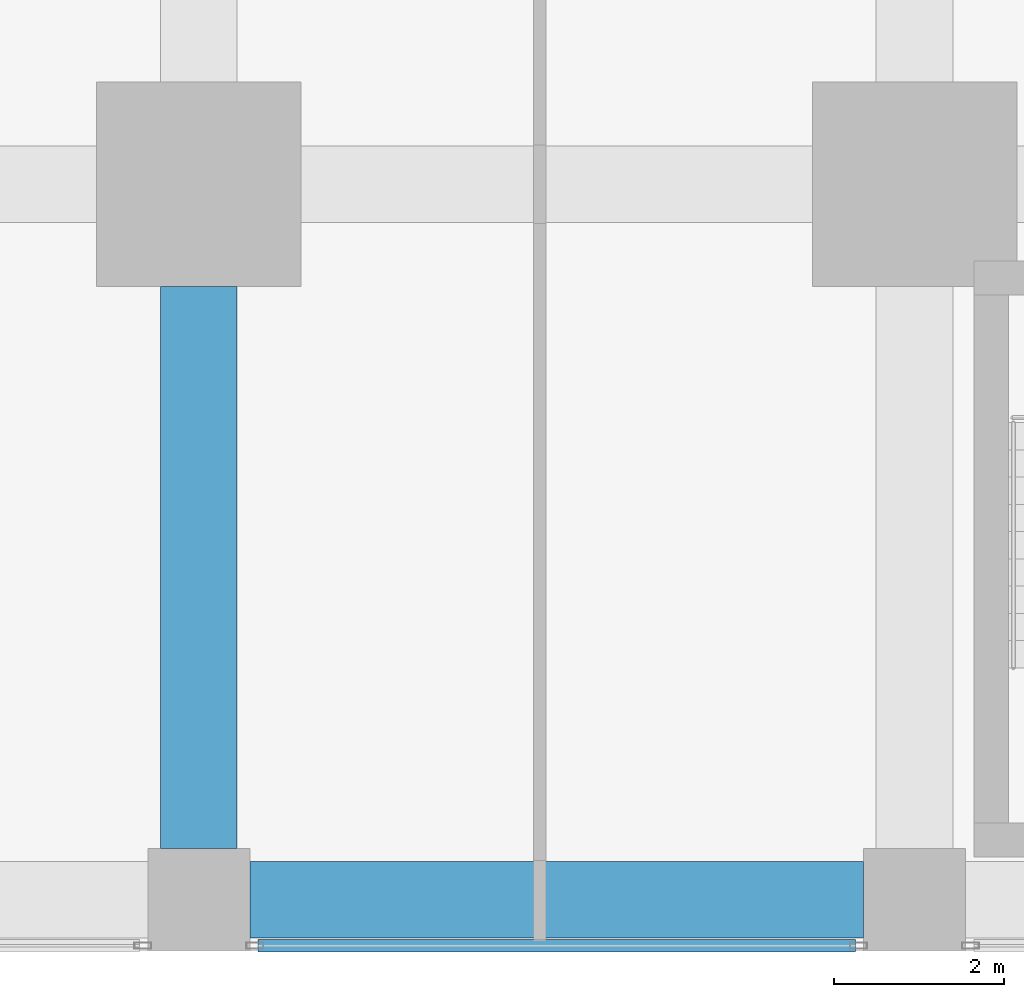
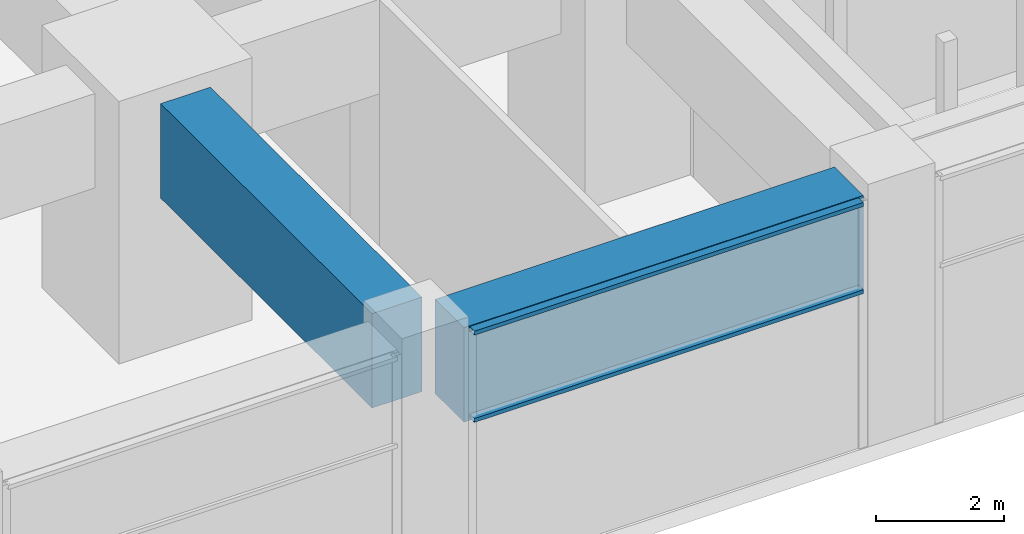
# One storey, part 4 of 48: 2 beams, 2 members, 1 element without a shape of its own.
"""IFC4 building model written with IfcOpenShell, lengths in metres."""

from ifc_helpers import new_model, si_unit, direction, frame, origin, origin_2d, place, context, subcontext, project, spatial, rectangle, hollow_rectangle, extrude, material, material_profile, profile_set, type_object, element, aggregate, save


model = new_model("IFC4")

# Units and contexts
model_context = context("Model", 3, precision=1e-05, world=origin(), true_north=direction((0.0, 1.0)))
body_context = subcontext(model_context, "Body", "Model", "MODEL_VIEW")
ifc_project = project(units=[si_unit("LENGTHUNIT", "METRE"), si_unit("AREAUNIT", "SQUARE_METRE"), si_unit("VOLUMEUNIT", "CUBIC_METRE"), si_unit("PLANEANGLEUNIT", "RADIAN"), si_unit("MASSUNIT", "GRAM", prefix="KILO")], contexts=[model_context])

# Site, building, storey
site_placement = place(None, origin())
site = spatial("IfcSite", under=ifc_project, at=site_placement, CompositionType="ELEMENT")
building_placement = place(site_placement, origin())
building = spatial("IfcBuilding", under=site, at=building_placement, Name="Rekha Terrace Tower", CompositionType="ELEMENT")
storey_placement = place(building_placement, frame((0.0, 0.0, 15.39990234375)))
storey = spatial("IfcBuildingStorey", under=building, at=storey_placement, Name="L03", CompositionType="ELEMENT", Elevation=15.39990234375)

# Curtain wall, members
ifc_material_1 = material(Name="Aluminium framing", Category="aluminium")
curtain_wall_type = type_object("IfcCurtainWallType", Name="CW4 podium shopfront glazing", PredefinedType="USERDEFINED", material=ifc_material_1)
curtain_wall_placement = place(storey_placement, origin())
curtain_wall = element("IfcCurtainWall", 1, at=curtain_wall_placement, inside=storey, type_object=curtain_wall_type, Name="CW4 shopfront curtain wall", ObjectType="SHOPFRONT CURTAIN WALL", PredefinedType="USERDEFINED")
ifc_material_2 = material(Name="Aluminium transom section", Category="aluminium")
ifc_material_profile_1 = material_profile(ifc_material_2, hollow_rectangle(XDim=0.14990234375, YDim=0.074951171875, WallThickness=0.0029296875, at=origin_2d()), Name="AL RHS 150x75")
ifc_profile_set_1 = profile_set([ifc_material_profile_1], Name="Aluminium transom section")
member_type = type_object("IfcMemberType", Name="CW4 transom RHS 75 x 150", PredefinedType="USERDEFINED", material=ifc_profile_set_1)
member_1_placement = place(storey_placement, frame((9.094970703125, -0.5400390625, 3.0), z_axis=(1.0, 0.0, 0.0), x_axis=(0.0, 1.0, 0.0)))
member_1 = element("IfcMember", 2, at=member_1_placement, type_object=member_type, Name="CW4 transom 1.2", ObjectType="TRANSOM", PredefinedType="USERDEFINED", context=body_context, shape_type="SweptSolid", body=[
    extrude(hollow_rectangle(XDim=0.14990234375, YDim=0.074951171875, WallThickness=0.0029296875, at=origin_2d()), origin(), (0.0, 0.0, 1.0), 7.010009765625),
])
member_2_placement = place(storey_placement, frame((9.094970703125, -0.5400390625, 4.66259765625), z_axis=(1.0, 0.0, 0.0), x_axis=(0.0, 1.0, 0.0)))
member_2 = element("IfcMember", 3, at=member_2_placement, type_object=member_type, Name="CW4 transom 1.3", ObjectType="TRANSOM", PredefinedType="USERDEFINED", context=body_context, shape_type="SweptSolid", body=[
    extrude(hollow_rectangle(XDim=0.14990234375, YDim=0.074951171875, WallThickness=0.0029296875, at=origin_2d()), origin(), (0.0, 0.0, 1.0), 7.010009765625),
])
aggregate(curtain_wall, [member_1, member_2])

# Beams
ifc_material_3 = material(Name="Concrete M60", Category="concrete")
ifc_material_profile_2 = material_profile(ifc_material_3, rectangle(XDim=0.89990234375, YDim=1.800048828125, at=origin_2d()), Name="RC 900x1800")
ifc_profile_set_2 = profile_set([ifc_material_profile_2], Name="Concrete M60")
beam_type = type_object("IfcBeamType", Name="G1 900x1800 podium floor beam", PredefinedType="BEAM", material=ifc_profile_set_2)
beam_1_placement = place(storey_placement, frame((9.0, 0.0, 3.800048828125), z_axis=(1.0, 0.0, 0.0), x_axis=(0.0, 1.0, 0.0)))
element("IfcBeam", 4, at=beam_1_placement, inside=storey, type_object=beam_type, Name="Beam G1 2A-3A under L04", PredefinedType="BEAM", context=body_context, shape_type="SweptSolid", body=[
    extrude(rectangle(XDim=0.89990234375, YDim=1.800048828125, at=origin_2d()), origin(), (0.0, 0.0, 1.0), 7.199951171875),
])
beam_2_placement = place(storey_placement, frame((8.39990234375, 0.60009765625, 3.800048828125), z_axis=(0.0, 1.0, 0.0), x_axis=(-1.0, 0.0, 0.0)))
element("IfcBeam", 5, at=beam_2_placement, inside=storey, type_object=beam_type, Name="Beam G1 2A-2B under L04", PredefinedType="BEAM", context=body_context, shape_type="SweptSolid", body=[
    extrude(rectangle(XDim=0.89990234375, YDim=1.800048828125, at=origin_2d()), origin(), (0.0, 0.0, 1.0), 6.599853515625),
])

save(model, "model.ifc")
